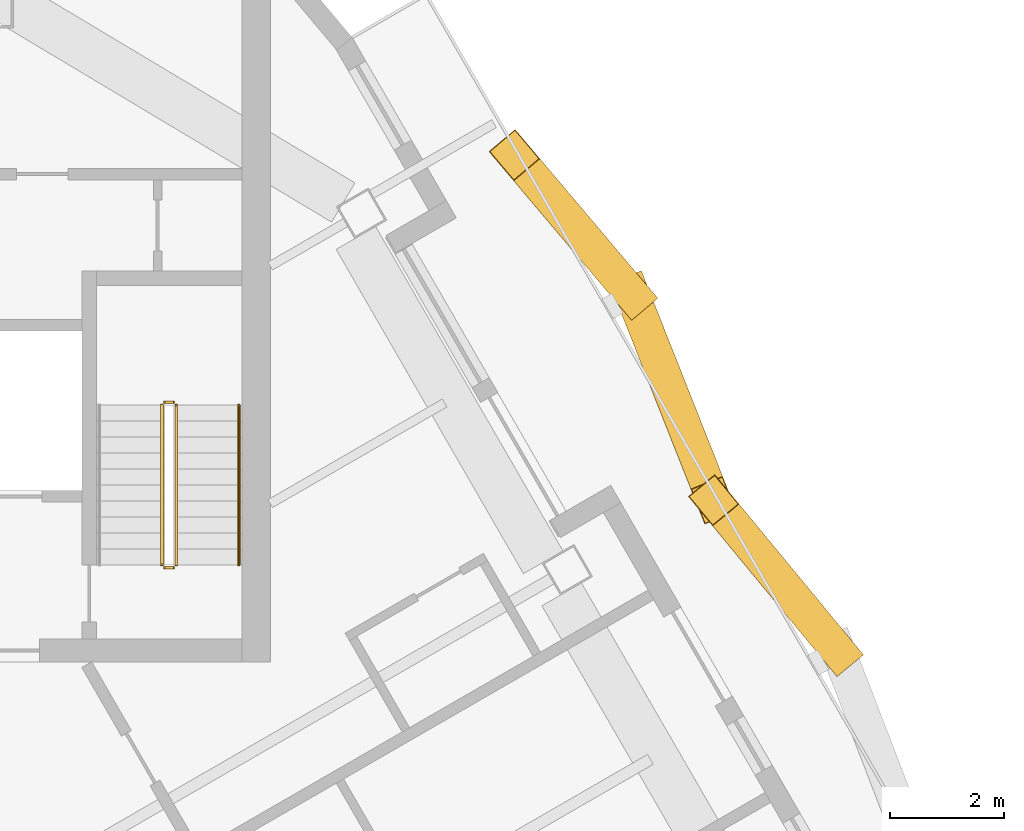
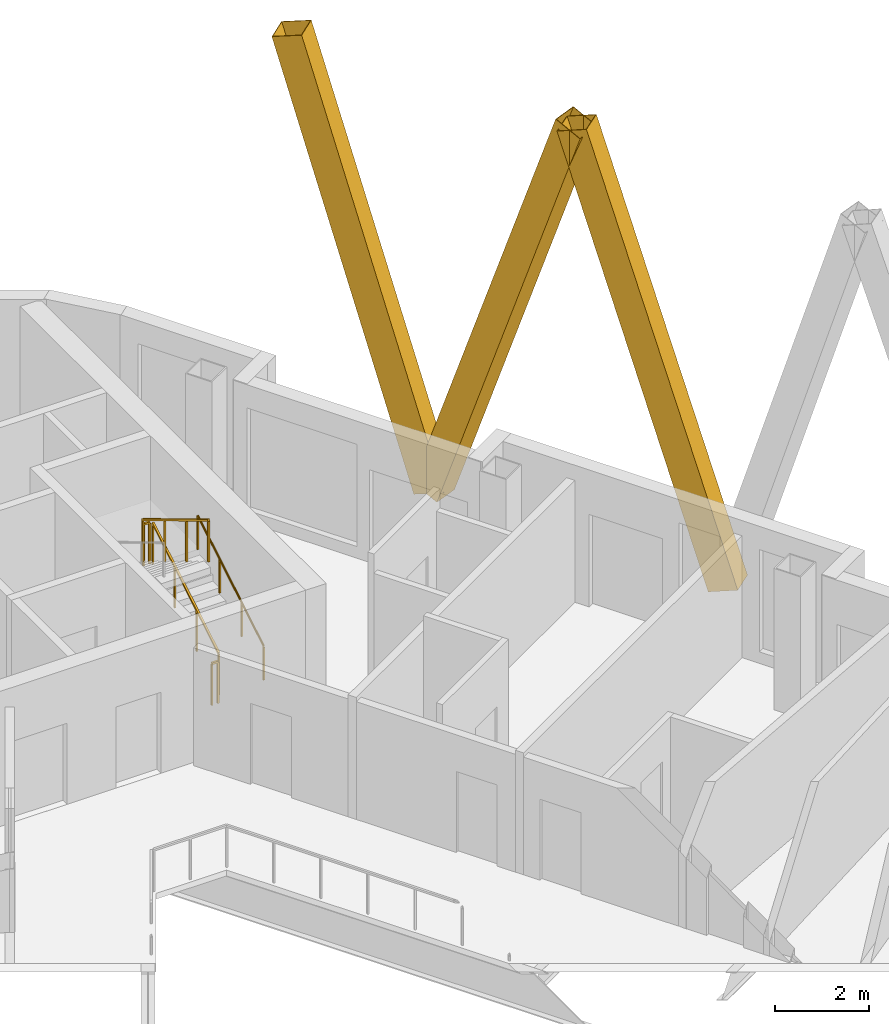
# One storey, part 13 of 13: 5 railings, 3 shading devices.
"""IFC4 building model written with IfcOpenShell, lengths in metres."""

from ifc_helpers import new_model, si_unit, direction, frame, origin, origin_2d, place, context, subcontext, project, spatial, rectangle, hollow_rectangle, circle, extrude, material, material_profile, profile_set, type_object, element, save


model = new_model("IFC4")

# Units and contexts
model_context = context("Model", 3, precision=1e-05, world=origin(), true_north=direction((0.0, 1.0)))
body_context = subcontext(model_context, "Body", "Model", "MODEL_VIEW")
ifc_project = project(units=[si_unit("LENGTHUNIT", "METRE"), si_unit("AREAUNIT", "SQUARE_METRE"), si_unit("VOLUMEUNIT", "CUBIC_METRE"), si_unit("PLANEANGLEUNIT", "RADIAN"), si_unit("MASSUNIT", "GRAM", prefix="KILO")], contexts=[model_context])

# Site, building, storey
site_placement = place(None, origin())
site = spatial("IfcSite", under=ifc_project, at=site_placement, CompositionType="ELEMENT")
building_placement = place(site_placement, origin())
building = spatial("IfcBuilding", under=site, at=building_placement, Name="Apuvela Tower Hotel", CompositionType="ELEMENT")
storey_placement = place(building_placement, frame((0.0, 0.0, 280.0)))
storey = spatial("IfcBuildingStorey", under=building, at=storey_placement, Name="L69", CompositionType="ELEMENT", Elevation=280.0)

# Railings
ifc_material_1 = material(Name="Steel S275 balustrade", Category="steel")
railing_type_1 = type_object("IfcRailingType", Name="COR-GUARD-1100", PredefinedType="GUARDRAIL", material=ifc_material_1)
railing_1_placement = place(storey_placement, frame((3.85009765625, 14.60009765625, 0.168212890625)))
element("IfcRailing", 1, at=railing_1_placement, inside=storey, type_object=railing_type_1, Name="L69 ST1 stair guard 1", PredefinedType="GUARDRAIL", context=body_context, shape_type="SweptSolid", body=[
    extrude(rectangle(XDim=0.048095703125, YDim=0.048095703125, at=origin_2d()), frame((0.0, 0.0, 1.076171875), z_axis=(0.0, 0.857222391501, 0.514946377315), x_axis=(-1.0, 0.0, 0.0)), (0.0, 0.0, 1.0), 3.26611328125),
    extrude(rectangle(XDim=0.0419921875, YDim=0.0419921875, at=origin_2d()), origin(), (0.0, 0.0, 1.0), 1.052001953125),
    extrude(rectangle(XDim=0.0419921875, YDim=0.0419921875, at=origin_2d()), frame((0.0, 0.933349609375, 0.560546875)), (0.0, 0.0, 1.0), 1.052001953125),
    extrude(rectangle(XDim=0.0419921875, YDim=0.0419921875, at=origin_2d()), frame((0.0, 1.866455078125, 1.121337890625)), (0.0, 0.0, 1.0), 1.052001953125),
    extrude(rectangle(XDim=0.0419921875, YDim=0.0419921875, at=origin_2d()), frame((0.0, 2.7998046875, 1.681884765625)), (0.0, 0.0, 1.0), 1.052001953125),
])
railing_2_placement = place(storey_placement, frame((3.800048828125, 17.449951171875, 1.85009765625)))
element("IfcRailing", 2, at=railing_2_placement, inside=storey, type_object=railing_type_1, Name="L69 ST1 stair guard 2", PredefinedType="GUARDRAIL", context=body_context, shape_type="SweptSolid", body=[
    extrude(rectangle(XDim=0.048095703125, YDim=0.048095703125, at=origin_2d()), frame((0.0, 0.0, 1.076171875), z_axis=(-1.0, 0.0, 0.0), x_axis=(0.0, -1.0, 0.0)), (0.0, 0.0, 1.0), 0.150146484375),
    extrude(rectangle(XDim=0.0419921875, YDim=0.0419921875, at=origin_2d()), origin(), (0.0, 0.0, 1.0), 1.052001953125),
    extrude(rectangle(XDim=0.0419921875, YDim=0.0419921875, at=origin_2d()), frame((-0.150146484375, 0.0, 0.0)), (0.0, 0.0, 1.0), 1.052001953125),
])
railing_3_placement = place(storey_placement, frame((3.60009765625, 17.39990234375, 2.01806640625)))
element("IfcRailing", 3, at=railing_3_placement, inside=storey, type_object=railing_type_1, Name="L69 ST1 stair guard 3", PredefinedType="GUARDRAIL", context=body_context, shape_type="SweptSolid", body=[
    extrude(rectangle(XDim=0.048095703125, YDim=0.048095703125, at=origin_2d()), frame((0.0, 0.0, 1.076171875), z_axis=(0.0, -0.857222391501, 0.514946377315), x_axis=(1.0, 0.0, 0.0)), (0.0, 0.0, 1.0), 3.26611328125),
    extrude(rectangle(XDim=0.0419921875, YDim=0.0419921875, at=origin_2d()), origin(), (0.0, 0.0, 1.0), 1.052001953125),
    extrude(rectangle(XDim=0.0419921875, YDim=0.0419921875, at=origin_2d()), frame((0.0, -0.933349609375, 0.560546875)), (0.0, 0.0, 1.0), 1.052001953125),
    extrude(rectangle(XDim=0.0419921875, YDim=0.0419921875, at=origin_2d()), frame((0.0, -1.866455078125, 1.121337890625)), (0.0, 0.0, 1.0), 1.052001953125),
    extrude(rectangle(XDim=0.0419921875, YDim=0.0419921875, at=origin_2d()), frame((0.0, -2.7998046875, 1.681884765625)), (0.0, 0.0, 1.0), 1.052001953125),
])
railing_4_placement = place(storey_placement, frame((3.800048828125, 14.550048828125, 0.0)))
element("IfcRailing", 4, at=railing_4_placement, inside=storey, type_object=railing_type_1, Name="L69 ST1 stair guard 4", PredefinedType="GUARDRAIL", context=body_context, shape_type="SweptSolid", body=[
    extrude(rectangle(XDim=0.048095703125, YDim=0.048095703125, at=origin_2d()), frame((0.0, 0.0, 1.076171875), z_axis=(-1.0, 0.0, 0.0), x_axis=(0.0, -1.0, 0.0)), (0.0, 0.0, 1.0), 0.150146484375),
    extrude(rectangle(XDim=0.0419921875, YDim=0.0419921875, at=origin_2d()), origin(), (0.0, 0.0, 1.0), 1.052001953125),
    extrude(rectangle(XDim=0.0419921875, YDim=0.0419921875, at=origin_2d()), frame((-0.150146484375, 0.0, 0.0)), (0.0, 0.0, 1.0), 1.052001953125),
])
ifc_material_2 = material(Name="Stainless steel 316 handrail", Category="steel")
railing_type_2 = type_object("IfcRailingType", Name="COR-HANDRAIL-900", PredefinedType="HANDRAIL", material=ifc_material_2)
railing_5_placement = place(storey_placement, frame((4.949951171875, 14.60009765625, 0.168212890625)))
element("IfcRailing", 5, at=railing_5_placement, inside=storey, type_object=railing_type_2, Name="L69 ST1 stair handrail 1", PredefinedType="HANDRAIL", context=body_context, shape_type="SweptSolid", body=[
    extrude(circle(Radius=0.02392578125, at=origin_2d()), frame((0.0, 0.0, 0.8759765625), z_axis=(0.0, 0.857222391501, 0.514946377315), x_axis=(-1.0, 0.0, 0.0)), (0.0, 0.0, 1.0), 3.26611328125),
    extrude(rectangle(XDim=0.0419921875, YDim=0.0419921875, at=origin_2d()), origin(), (0.0, 0.0, 1.0), 0.851806640625),
    extrude(rectangle(XDim=0.0419921875, YDim=0.0419921875, at=origin_2d()), frame((0.0, 0.933349609375, 0.560546875)), (0.0, 0.0, 1.0), 0.851806640625),
    extrude(rectangle(XDim=0.0419921875, YDim=0.0419921875, at=origin_2d()), frame((0.0, 1.866455078125, 1.121337890625)), (0.0, 0.0, 1.0), 0.851806640625),
    extrude(rectangle(XDim=0.0419921875, YDim=0.0419921875, at=origin_2d()), frame((0.0, 2.7998046875, 1.681884765625)), (0.0, 0.0, 1.0), 0.851806640625),
])

# Shading devices
ifc_material_3 = material(Name="Aluminium 6063-T6, black anodised", Category="aluminium")
ifc_material_profile = material_profile(ifc_material_3, hollow_rectangle(XDim=0.60009765625, YDim=0.699951171875, WallThickness=0.011962890625, at=origin_2d()), Name="AL BOX 700x600x12")
ifc_profile_set = profile_set([ifc_material_profile], Name="Aluminium 6063-T6, black anodised")
shading_device_type = type_object("IfcShadingDeviceType", Name="ENV-FIN-700x600", PredefinedType="USERDEFINED", material=ifc_profile_set)
shading_device_1_placement = place(storey_placement, frame((15.455078125, 13.088623046875, -0.10009765625), z_axis=(-0.187734450826, 0.227517425797, 0.955505937675), x_axis=(-0.771319065559, -0.636448661799, 0.0)))
element("IfcShadingDevice", 6, at=shading_device_1_placement, inside=storey, type_object=shading_device_type, Name="Lattice fin NE590", ObjectType="FIN", PredefinedType="USERDEFINED", context=body_context, shape_type="SweptSolid", body=[
    extrude(hollow_rectangle(XDim=0.60009765625, YDim=0.699951171875, WallThickness=0.011962890625, at=origin_2d()), origin(), (0.0, 0.0, 1.0), 11.616943359375),
])
shading_device_2_placement = place(storey_placement, frame((11.847412109375, 19.33740234375, -0.10009765625), z_axis=(0.121344278879, -0.306662158583, 0.944051845227), x_axis=(0.929851044229, 0.367936184066, 0.0)))
element("IfcShadingDevice", 7, at=shading_device_2_placement, inside=storey, type_object=shading_device_type, Name="Lattice fin NE591", ObjectType="FIN", PredefinedType="USERDEFINED", context=body_context, shape_type="SweptSolid", body=[
    extrude(hollow_rectangle(XDim=0.60009765625, YDim=0.699951171875, WallThickness=0.011962890625, at=origin_2d()), origin(), (0.0, 0.0, 1.0), 11.7578125),
])
shading_device_3_placement = place(storey_placement, frame((11.847412109375, 19.33740234375, -0.10009765625), z_axis=(-0.178910023355, 0.211686948258, 0.960822480732), x_axis=(-0.763759239097, -0.645501219746, 0.0)))
element("IfcShadingDevice", 8, at=shading_device_3_placement, inside=storey, type_object=shading_device_type, Name="Lattice fin NE592", ObjectType="FIN", PredefinedType="USERDEFINED", context=body_context, shape_type="SweptSolid", body=[
    extrude(hollow_rectangle(XDim=0.60009765625, YDim=0.699951171875, WallThickness=0.011962890625, at=origin_2d()), origin(), (0.0, 0.0, 1.0), 11.552734375),
])

save(model, "model.ifc")
